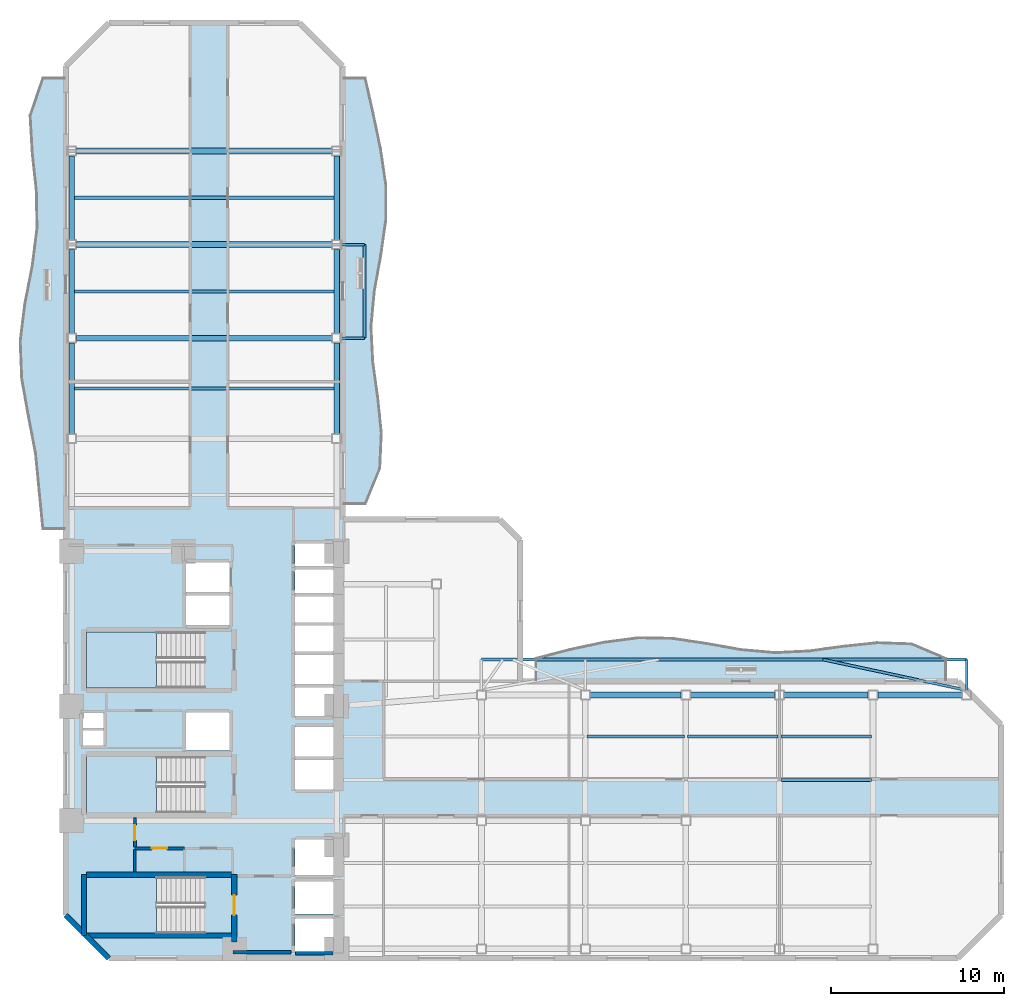
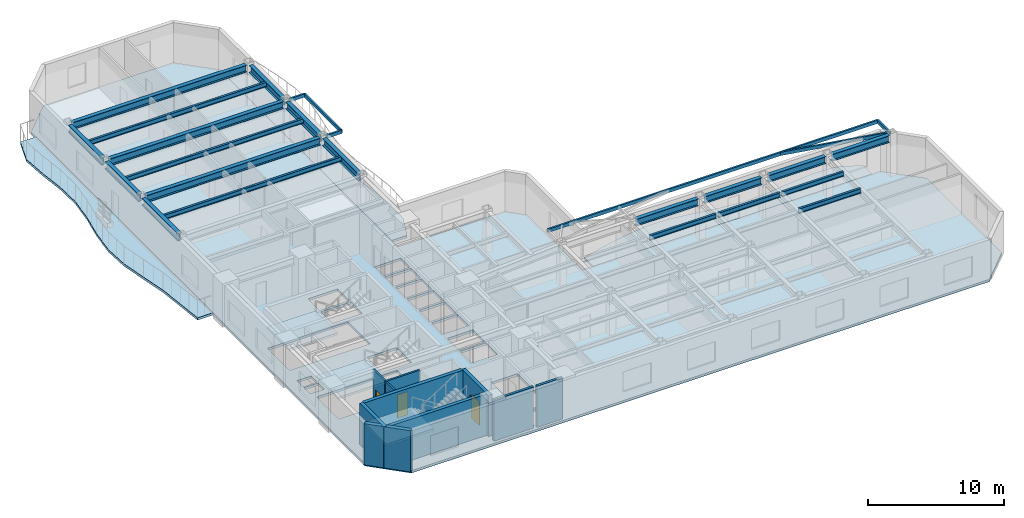
# One storey, part 2 of 10: 26 beams, 10 walls, 7 slabs, 3 doors, 3 openings, 3 elements without a shape of their own.
"""IFC4 building model written with IfcOpenShell, lengths in metres."""

from ifc_helpers import new_model, si_unit, direction, frame, frame_2d, origin, origin_2d, place, context, subcontext, project, spatial, polyline, rectangle, hollow_rectangle, i_section, outline, extrude, material, layer, layer_set, material_profile, profile_set, type_object, element, fill, aggregate, save


model = new_model("IFC4")

# Units and contexts
model_context = context("Model", 3, precision=1e-05, world=origin(), true_north=direction((0.0, 1.0)))
body_context = subcontext(model_context, "Body", "Model", "MODEL_VIEW")
ifc_project = project(units=[si_unit("LENGTHUNIT", "METRE"), si_unit("AREAUNIT", "SQUARE_METRE"), si_unit("VOLUMEUNIT", "CUBIC_METRE"), si_unit("PLANEANGLEUNIT", "RADIAN"), si_unit("MASSUNIT", "GRAM", prefix="KILO")], contexts=[model_context])

# Site, building, storey
site_placement = place(None, origin())
site = spatial("IfcSite", under=ifc_project, at=site_placement, CompositionType="ELEMENT")
building_placement = place(site_placement, origin())
building = spatial("IfcBuilding", under=site, at=building_placement, Name="Mawjaban Terraces University", CompositionType="ELEMENT")
storey_placement = place(building_placement, frame((0.0, 0.0, 81.699951171875)))
storey = spatial("IfcBuildingStorey", under=building, at=storey_placement, Name="L19", CompositionType="ELEMENT", Elevation=81.699951171875)

# Beams
ifc_material_1 = material(Name="Steel EN 10210-1 S355J2H", Category="steel")
ifc_material_profile_1 = material_profile(ifc_material_1, hollow_rectangle(XDim=0.14990234375, YDim=0.300048828125, WallThickness=0.012451171875, at=origin_2d()), Name="RHS300X150X12.5")
ifc_profile_set_1 = profile_set([ifc_material_profile_1], Name="Steel EN 10210-1 S355J2H")
beam_type_1 = type_object("IfcBeamType", Name="BalconyCantileverSpandrel_RHS", PredefinedType="SPANDREL", material=ifc_profile_set_1)
beam_1_placement = place(storey_placement, frame((74.0, 15.47509765625, 3.5400390625), z_axis=(0.0, 1.0, 0.0), x_axis=(-1.0, 0.0, 0.0)))
element("IfcBeam", 1, at=beam_1_placement, inside=storey, type_object=beam_type_1, Name="L19 Exterior Outrigger BAL-L20-N.2", PredefinedType="SPANDREL", context=body_context, shape_type="SweptSolid", body=[
    extrude(hollow_rectangle(XDim=0.14990234375, YDim=0.300048828125, WallThickness=0.012451171875, at=origin_2d()), origin(), (0.0, 0.0, 1.0), 1.77490234375),
])
beam_2_placement = place(storey_placement, frame((46.0, 17.25, 3.5400390625), z_axis=(1.0, 0.0, 0.0), x_axis=(0.0, 1.0, 0.0)))
element("IfcBeam", 2, at=beam_2_placement, inside=storey, type_object=beam_type_1, Name="L19 Exterior Edge Spandrel BAL-L20-N", PredefinedType="SPANDREL", context=body_context, shape_type="SweptSolid", body=[
    extrude(hollow_rectangle(XDim=0.14990234375, YDim=0.300048828125, WallThickness=0.012451171875, at=origin_2d()), origin(), (0.0, 0.0, 1.0), 28.0),
])
beam_3_placement = place(storey_placement, frame((74.0, 15.47509765625, 3.5400390625), z_axis=(-0.977864706332, 0.209238180334, 0.0), x_axis=(-0.209238180334, -0.977864706332, 0.0)))
element("IfcBeam", 3, at=beam_3_placement, inside=storey, type_object=beam_type_1, Name="L19 Exterior Diagonal Strut BAL-L20-N.2", PredefinedType="SPANDREL", context=body_context, shape_type="SweptSolid", body=[
    extrude(hollow_rectangle(XDim=0.14990234375, YDim=0.300048828125, WallThickness=0.012451171875, at=origin_2d()), origin(), (0.0, 0.0, 1.0), 8.482666015625),
])
for number, where, z_axis, x_axis, name in (
    (4, (37.925048828125, 35.800048828125, 3.5400390625), (1.0, 0.0, 0.0), (0.0, 1.0, 0.0), "L19 Exterior Outrigger BAL-L20-E.1"),
    (5, (37.925048828125, 41.199951171875, 3.5400390625), (1.0, 0.0, 0.0), (0.0, 1.0, 0.0), "L19 Exterior Outrigger BAL-L20-E.2"),
):
    element("IfcBeam", number, at=place(storey_placement, frame(where, z_axis=z_axis, x_axis=x_axis)), inside=storey, type_object=beam_type_1, Name=name, PredefinedType="SPANDREL", context=body_context, shape_type="SweptSolid", body=[
        extrude(hollow_rectangle(XDim=0.14990234375, YDim=0.300048828125, WallThickness=0.012451171875, at=origin_2d()), origin(), (0.0, 0.0, 1.0), 1.324951171875),
    ])
beam_4_placement = place(storey_placement, frame((39.25, 35.800048828125, 3.5400390625), z_axis=(0.0, 1.0, 0.0), x_axis=(-1.0, 0.0, 0.0)))
element("IfcBeam", 6, at=beam_4_placement, inside=storey, type_object=beam_type_1, Name="L19 Exterior Edge Spandrel BAL-L20-E", PredefinedType="SPANDREL", context=body_context, shape_type="SweptSolid", body=[
    extrude(hollow_rectangle(XDim=0.14990234375, YDim=0.300048828125, WallThickness=0.012451171875, at=origin_2d()), origin(), (0.0, 0.0, 1.0), 5.39990234375),
])
ifc_material_2 = material(Name="Steel ASTM A572 Grade 50", Category="steel")
ifc_material_profile_2 = material_profile(ifc_material_2, i_section(OverallWidth=0.3291015625, OverallDepth=0.635009765625, WebThickness=0.017822265625, FlangeThickness=0.031005859375, at=origin_2d()), Name="W610X241")
ifc_profile_set_2 = profile_set([ifc_material_profile_2], Name="Steel ASTM A572 Grade 50")
beam_type_2 = type_object("IfcBeamType", Name="Beam_B_W610X241", PredefinedType="BEAM", material=ifc_profile_set_2)
beam_5_placement = place(storey_placement, frame((52.27490234375, 15.199951171875, 3.373046875), z_axis=(1.0, 0.0, 0.0), x_axis=(0.0, 1.0, 0.0)))
element("IfcBeam", 7, at=beam_5_placement, inside=storey, type_object=beam_type_2, Name="L19 Beam BM-L19-EW-10", PredefinedType="BEAM", context=body_context, shape_type="SweptSolid", body=[
    extrude(i_section(OverallWidth=0.3291015625, OverallDepth=0.635009765625, WebThickness=0.017822265625, FlangeThickness=0.031005859375, at=origin_2d()), origin(), (0.0, 0.0, 1.0), 5.25),
])
beam_6_placement = place(storey_placement, frame((58.074951171875, 15.199951171875, 3.373046875), z_axis=(1.0, 0.0, 0.0), x_axis=(0.0, 1.0, 0.0)))
element("IfcBeam", 8, at=beam_6_placement, inside=storey, type_object=beam_type_2, Name="L19 Beam BM-L19-EW-11", PredefinedType="BEAM", context=body_context, shape_type="SweptSolid", body=[
    extrude(i_section(OverallWidth=0.3291015625, OverallDepth=0.635009765625, WebThickness=0.017822265625, FlangeThickness=0.031005859375, at=origin_2d()), origin(), (0.0, 0.0, 1.0), 4.85009765625),
])
beam_7_placement = place(storey_placement, frame((63.47509765625, 15.199951171875, 3.373046875), z_axis=(1.0, 0.0, 0.0), x_axis=(0.0, 1.0, 0.0)))
element("IfcBeam", 9, at=beam_7_placement, inside=storey, type_object=beam_type_2, Name="L19 Beam BM-L19-EW-12", PredefinedType="BEAM", context=body_context, shape_type="SweptSolid", body=[
    extrude(i_section(OverallWidth=0.3291015625, OverallDepth=0.635009765625, WebThickness=0.017822265625, FlangeThickness=0.031005859375, at=origin_2d()), origin(), (0.0, 0.0, 1.0), 4.849853515625),
])
beam_8_placement = place(storey_placement, frame((68.875, 15.199951171875, 3.373046875), z_axis=(1.0, 0.0, 0.0), x_axis=(0.0, 1.0, 0.0)))
element("IfcBeam", 10, at=beam_8_placement, inside=storey, type_object=beam_type_2, Name="L19 Beam BM-L19-EW-13", PredefinedType="BEAM", context=body_context, shape_type="SweptSolid", body=[
    extrude(i_section(OverallWidth=0.3291015625, OverallDepth=0.635009765625, WebThickness=0.017822265625, FlangeThickness=0.031005859375, at=origin_2d()), origin(), (0.0, 0.0, 1.0), 4.85009765625),
])
for number, where, z_axis, x_axis, name in (
    (11, (22.625, 35.800048828125, 3.373046875), (1.0, 0.0, 0.0), (0.0, 1.0, 0.0), "L19 Beam BM-L19-EW-16"),
    (12, (22.625, 41.199951171875, 3.373046875), (1.0, 0.0, 0.0), (0.0, 1.0, 0.0), "L19 Beam BM-L19-EW-17"),
    (13, (22.625, 46.60009765625, 3.373046875), (1.0, 0.0, 0.0), (0.0, 1.0, 0.0), "L19 Beam BM-L19-EW-18"),
):
    element("IfcBeam", number, at=place(storey_placement, frame(where, z_axis=z_axis, x_axis=x_axis)), inside=storey, type_object=beam_type_2, Name=name, PredefinedType="BEAM", context=body_context, shape_type="SweptSolid", body=[
        extrude(i_section(OverallWidth=0.3291015625, OverallDepth=0.635009765625, WebThickness=0.017822265625, FlangeThickness=0.031005859375, at=origin_2d()), origin(), (0.0, 0.0, 1.0), 14.75),
    ])
beam_9_placement = place(storey_placement, frame((22.35009765625, 30.27490234375, 3.373046875), z_axis=(0.0, 1.0, 0.0), x_axis=(-1.0, 0.0, 0.0)))
element("IfcBeam", 14, at=beam_9_placement, inside=storey, type_object=beam_type_2, Name="L19 Beam BM-L19-NS-04", PredefinedType="BEAM", context=body_context, shape_type="SweptSolid", body=[
    extrude(i_section(OverallWidth=0.3291015625, OverallDepth=0.635009765625, WebThickness=0.017822265625, FlangeThickness=0.031005859375, at=origin_2d()), origin(), (0.0, 0.0, 1.0), 5.25),
])
beam_10_placement = place(storey_placement, frame((22.35009765625, 36.074951171875, 3.373046875), z_axis=(0.0, 1.0, 0.0), x_axis=(-1.0, 0.0, 0.0)))
element("IfcBeam", 15, at=beam_10_placement, inside=storey, type_object=beam_type_2, Name="L19 Beam BM-L19-NS-05", PredefinedType="BEAM", context=body_context, shape_type="SweptSolid", body=[
    extrude(i_section(OverallWidth=0.3291015625, OverallDepth=0.635009765625, WebThickness=0.017822265625, FlangeThickness=0.031005859375, at=origin_2d()), origin(), (0.0, 0.0, 1.0), 4.85009765625),
])
beam_11_placement = place(storey_placement, frame((22.35009765625, 41.47509765625, 3.373046875), z_axis=(0.0, 1.0, 0.0), x_axis=(-1.0, 0.0, 0.0)))
element("IfcBeam", 16, at=beam_11_placement, inside=storey, type_object=beam_type_2, Name="L19 Beam BM-L19-NS-06", PredefinedType="BEAM", context=body_context, shape_type="SweptSolid", body=[
    extrude(i_section(OverallWidth=0.3291015625, OverallDepth=0.635009765625, WebThickness=0.017822265625, FlangeThickness=0.031005859375, at=origin_2d()), origin(), (0.0, 0.0, 1.0), 4.849853515625),
])
beam_12_placement = place(storey_placement, frame((37.64990234375, 30.27490234375, 3.373046875), z_axis=(0.0, 1.0, 0.0), x_axis=(-1.0, 0.0, 0.0)))
element("IfcBeam", 17, at=beam_12_placement, inside=storey, type_object=beam_type_2, Name="L19 Beam BM-L19-NS-11", PredefinedType="BEAM", context=body_context, shape_type="SweptSolid", body=[
    extrude(i_section(OverallWidth=0.3291015625, OverallDepth=0.635009765625, WebThickness=0.017822265625, FlangeThickness=0.031005859375, at=origin_2d()), origin(), (0.0, 0.0, 1.0), 5.25),
])
beam_13_placement = place(storey_placement, frame((37.64990234375, 36.074951171875, 3.373046875), z_axis=(0.0, 1.0, 0.0), x_axis=(-1.0, 0.0, 0.0)))
element("IfcBeam", 18, at=beam_13_placement, inside=storey, type_object=beam_type_2, Name="L19 Beam BM-L19-NS-12", PredefinedType="BEAM", context=body_context, shape_type="SweptSolid", body=[
    extrude(i_section(OverallWidth=0.3291015625, OverallDepth=0.635009765625, WebThickness=0.017822265625, FlangeThickness=0.031005859375, at=origin_2d()), origin(), (0.0, 0.0, 1.0), 4.85009765625),
])
beam_14_placement = place(storey_placement, frame((37.64990234375, 41.47509765625, 3.373046875), z_axis=(0.0, 1.0, 0.0), x_axis=(-1.0, 0.0, 0.0)))
element("IfcBeam", 19, at=beam_14_placement, inside=storey, type_object=beam_type_2, Name="L19 Beam BM-L19-NS-13", PredefinedType="BEAM", context=body_context, shape_type="SweptSolid", body=[
    extrude(i_section(OverallWidth=0.3291015625, OverallDepth=0.635009765625, WebThickness=0.017822265625, FlangeThickness=0.031005859375, at=origin_2d()), origin(), (0.0, 0.0, 1.0), 4.849853515625),
])
ifc_material_profile_3 = material_profile(ifc_material_2, i_section(OverallWidth=0.179931640625, OverallDepth=0.4130859375, WebThickness=0.009765625, FlangeThickness=0.01611328125, at=origin_2d()), Name="W410X74")
ifc_profile_set_3 = profile_set([ifc_material_profile_3], Name="Steel ASTM A572 Grade 50")
beam_type_3 = type_object("IfcBeamType", Name="Beam_J_W410X74", PredefinedType="JOIST", material=ifc_profile_set_3)
beam_15_placement = place(storey_placement, frame((63.280029296875, 10.300048828125, 3.483154296875), z_axis=(1.0, 0.0, 0.0), x_axis=(0.0, 1.0, 0.0)))
element("IfcBeam", 20, at=beam_15_placement, inside=storey, type_object=beam_type_3, Name="L19 Composite Joist JST-L19-15", PredefinedType="JOIST", context=body_context, shape_type="SweptSolid", body=[
    extrude(i_section(OverallWidth=0.179931640625, OverallDepth=0.4130859375, WebThickness=0.009765625, FlangeThickness=0.01611328125, at=origin_2d()), origin(), (0.0, 0.0, 1.0), 5.239990234375),
])
beam_16_placement = place(storey_placement, frame((52.080078125, 12.800048828125, 3.483154296875), z_axis=(1.0, 0.0, 0.0), x_axis=(0.0, 1.0, 0.0)))
element("IfcBeam", 21, at=beam_16_placement, inside=storey, type_object=beam_type_3, Name="L19 Composite Joist JST-L19-18", PredefinedType="JOIST", context=body_context, shape_type="SweptSolid", body=[
    extrude(i_section(OverallWidth=0.179931640625, OverallDepth=0.4130859375, WebThickness=0.009765625, FlangeThickness=0.01611328125, at=origin_2d()), origin(), (0.0, 0.0, 1.0), 5.639892578125),
])
beam_17_placement = place(storey_placement, frame((57.8798828125, 12.800048828125, 3.483154296875), z_axis=(1.0, 0.0, 0.0), x_axis=(0.0, 1.0, 0.0)))
element("IfcBeam", 22, at=beam_17_placement, inside=storey, type_object=beam_type_3, Name="L19 Composite Joist JST-L19-19", PredefinedType="JOIST", context=body_context, shape_type="SweptSolid", body=[
    extrude(i_section(OverallWidth=0.179931640625, OverallDepth=0.4130859375, WebThickness=0.009765625, FlangeThickness=0.01611328125, at=origin_2d()), origin(), (0.0, 0.0, 1.0), 5.240234375),
])
beam_18_placement = place(storey_placement, frame((63.280029296875, 12.800048828125, 3.483154296875), z_axis=(1.0, 0.0, 0.0), x_axis=(0.0, 1.0, 0.0)))
element("IfcBeam", 23, at=beam_18_placement, inside=storey, type_object=beam_type_3, Name="L19 Composite Joist JST-L19-20", PredefinedType="JOIST", context=body_context, shape_type="SweptSolid", body=[
    extrude(i_section(OverallWidth=0.179931640625, OverallDepth=0.4130859375, WebThickness=0.009765625, FlangeThickness=0.01611328125, at=origin_2d()), origin(), (0.0, 0.0, 1.0), 5.239990234375),
])
for number, where, z_axis, x_axis, name in (
    (24, (22.429931640625, 32.89990234375, 3.483154296875), (1.0, 0.0, 0.0), (0.0, 1.0, 0.0), "L19 Composite Joist JST-L19-23"),
    (25, (22.429931640625, 38.5, 3.483154296875), (1.0, 0.0, 0.0), (0.0, 1.0, 0.0), "L19 Composite Joist JST-L19-24"),
    (26, (22.429931640625, 43.89990234375, 3.483154296875), (1.0, 0.0, 0.0), (0.0, 1.0, 0.0), "L19 Composite Joist JST-L19-25"),
):
    element("IfcBeam", number, at=place(storey_placement, frame(where, z_axis=z_axis, x_axis=x_axis)), inside=storey, type_object=beam_type_3, Name=name, PredefinedType="JOIST", context=body_context, shape_type="SweptSolid", body=[
        extrude(i_section(OverallWidth=0.179931640625, OverallDepth=0.4130859375, WebThickness=0.009765625, FlangeThickness=0.01611328125, at=origin_2d()), origin(), (0.0, 0.0, 1.0), 15.14013671875),
    ])

# Slabs
ifc_material_3 = material(Name="Concrete C40/50", Category="concrete")
ifc_layer_1 = layer(ifc_material_3, 0.2099609375)
ifc_layer_set_1 = layer_set([ifc_layer_1], Name="Concrete C40/50")
slab_type_1 = type_object("IfcSlabType", Name="BalconySlab_210_Ext", PredefinedType="FLOOR", material=ifc_layer_set_1)
slab_1_placement = place(storey_placement, frame((0.0, 0.0, -0.2099609375)))
element("IfcSlab", 27, at=slab_1_placement, inside=storey, type_object=slab_type_1, Name="L19 Planted Balcony Slab west", PredefinedType="FLOOR", context=body_context, shape_type="SweptSolid", body=[
    extrude(outline(polyline([(22.010009765625, 24.800048828125), (22.010009765625, 50.800048828125), (20.699951171875, 50.800048828125), (19.966064453125, 48.633056640625), (20.090087890625, 46.467041015625), (20.324951171875, 44.300048828125), (20.363037109375, 42.133056640625), (20.087890625, 39.967041015625), (19.6630859375, 37.800048828125), (19.39306640625, 35.633056640625), (19.48095703125, 33.467041015625), (19.864990234375, 31.300048828125), (20.280029296875, 29.133056640625), (20.489013671875, 26.967041015625), (20.699951171875, 24.800048828125), (22.010009765625, 24.800048828125)])), origin(), (0.0, 0.0, 1.0), 0.2099609375),
])
slab_2_placement = place(storey_placement, frame((0.0, 0.0, -0.2099609375)))
element("IfcSlab", 28, at=slab_2_placement, inside=storey, type_object=slab_type_1, Name="L19 Planted Balcony Slab inner_north", PredefinedType="FLOOR", context=body_context, shape_type="SweptSolid", body=[
    extrude(outline(polyline([(49.14990234375, 15.989990234375), (72.800048828125, 15.989990234375), (72.800048828125, 17.300048828125), (70.8291015625, 18.138916015625), (68.85791015625, 18.208984375), (66.886962890625, 18.0009765625), (64.9169921875, 17.73193359375), (62.946044921875, 17.635009765625), (60.97509765625, 17.81103515625), (59.00390625, 18.162109375), (57.032958984375, 18.4580078125), (55.06201171875, 18.49609375), (53.092041015625, 18.236083984375), (51.12109375, 17.822021484375), (49.14990234375, 17.300048828125), (49.14990234375, 15.989990234375)])), origin(), (0.0, 0.0, 1.0), 0.2099609375),
])
slab_3_placement = place(storey_placement, frame((0.0, 0.0, -0.2099609375)))
element("IfcSlab", 29, at=slab_3_placement, inside=storey, type_object=slab_type_1, Name="L19 Planted Balcony Slab inner_east", PredefinedType="FLOOR", context=body_context, shape_type="SweptSolid", body=[
    extrude(outline(polyline([(39.300048828125, 26.237060546875), (40.14111328125, 28.283935546875), (40.23193359375, 30.3310546875), (40.02294921875, 32.3779296875), (39.738037109375, 34.425048828125), (39.635986328125, 36.471923828125), (39.826904296875, 38.51806640625), (40.197998046875, 40.56494140625), (40.489013671875, 42.612060546875), (40.489990234375, 44.658935546875), (40.18701171875, 46.7060546875), (39.761962890625, 48.7529296875), (39.300048828125, 50.800048828125), (37.989990234375, 50.800048828125), (37.989990234375, 26.237060546875), (39.300048828125, 26.237060546875)])), origin(), (0.0, 0.0, 1.0), 0.2099609375),
])
ifc_layer_2 = layer(ifc_material_3, 0.2099609375)
ifc_layer_set_2 = layer_set([ifc_layer_2], Name="Concrete C40/50")
slab_type_2 = type_object("IfcSlabType", Name="CompositeSlab_210", PredefinedType="FLOOR", material=ifc_layer_set_2)
slab_4_placement = place(storey_placement, frame((0.0, 0.0, -0.2099609375)))
element("IfcSlab", 30, at=slab_4_placement, inside=storey, type_object=slab_type_2, Name="L19 Primary Structural Slab", PredefinedType="FLOOR", context=body_context, shape_type="SweptSolid", body=[
    extrude(outline(polyline([(24.5, 0.0), (73.5, 0.0), (76.0, 2.5), (76.0, 13.5), (73.5, 16.0), (48.25, 16.0), (48.25, 24.136962890625), (47.050048828125, 25.3369140625), (38.0, 25.3369140625), (38.0, 51.5), (35.5, 54.0), (24.5, 54.0), (22.0, 51.5), (22.0, 2.5), (24.5, 0.0)]), holes=[polyline([(30.014892578125, 4.699951171875), (23.199951171875, 4.699951171875), (23.199951171875, 1.449951171875), (30.014892578125, 1.449951171875), (30.014892578125, 4.699951171875)]), polyline([(30.014892578125, 18.85009765625), (23.199951171875, 18.85009765625), (23.199951171875, 15.60009765625), (30.014892578125, 15.60009765625), (30.014892578125, 18.85009765625)]), polyline([(30.014892578125, 11.64990234375), (23.199951171875, 11.64990234375), (23.199951171875, 8.39990234375), (30.014892578125, 8.39990234375), (30.014892578125, 11.64990234375)]), polyline([(35.25, 0.39990234375), (37.449951171875, 0.39990234375), (37.449951171875, 2.300048828125), (35.25, 2.300048828125), (35.25, 0.39990234375)]), polyline([(35.25, 2.550048828125), (37.449951171875, 2.550048828125), (37.449951171875, 4.449951171875), (35.25, 4.449951171875), (35.25, 2.550048828125)]), polyline([(35.25, 4.800048828125), (37.449951171875, 4.800048828125), (37.449951171875, 6.85009765625), (35.25, 6.85009765625), (35.25, 4.800048828125)]), polyline([(35.25, 9.75), (37.449951171875, 9.75), (37.449951171875, 11.449951171875), (35.25, 11.449951171875), (35.25, 9.75)]), polyline([(35.25, 11.64990234375), (37.449951171875, 11.64990234375), (37.449951171875, 13.35009765625), (35.25, 13.35009765625), (35.25, 11.64990234375)]), polyline([(28.949951171875, 12.0), (31.449951171875, 12.0), (31.449951171875, 14.199951171875), (28.949951171875, 14.199951171875), (28.949951171875, 12.0)]), polyline([(35.25, 14.0), (37.449951171875, 14.0), (37.449951171875, 15.64990234375), (35.25, 15.64990234375), (35.25, 14.0)]), polyline([(35.25, 15.85009765625), (37.449951171875, 15.85009765625), (37.449951171875, 17.5), (35.25, 17.5), (35.25, 15.85009765625)]), polyline([(35.25, 17.699951171875), (37.449951171875, 17.699951171875), (37.449951171875, 19.199951171875), (35.25, 19.199951171875), (35.25, 17.699951171875)]), polyline([(35.25, 19.39990234375), (37.449951171875, 19.39990234375), (37.449951171875, 20.89990234375), (35.25, 20.89990234375), (35.25, 19.39990234375)]), polyline([(28.949951171875, 19.25), (31.449951171875, 19.25), (31.449951171875, 20.949951171875), (28.949951171875, 20.949951171875), (28.949951171875, 19.25)]), polyline([(35.25, 21.10009765625), (37.449951171875, 21.10009765625), (37.449951171875, 22.449951171875), (35.25, 22.449951171875), (35.25, 21.10009765625)]), polyline([(35.25, 22.64990234375), (37.449951171875, 22.64990234375), (37.449951171875, 23.949951171875), (35.25, 23.949951171875), (35.25, 22.64990234375)]), polyline([(28.949951171875, 21.14990234375), (31.449951171875, 21.14990234375), (31.449951171875, 22.85009765625), (28.949951171875, 22.85009765625), (28.949951171875, 21.14990234375)]), polyline([(23.0, 12.25), (24.199951171875, 12.25), (24.199951171875, 13.14990234375), (23.0, 13.14990234375), (23.0, 12.25)]), polyline([(23.0, 13.300048828125), (24.199951171875, 13.300048828125), (24.199951171875, 14.179931640625), (23.0, 14.179931640625), (23.0, 13.300048828125)])]), origin(), (0.0, 0.0, 1.0), 0.2099609375),
])

# Stair, slab
stair_type = type_object("IfcStairType", Name="Stair_Core1550_H39", PredefinedType="HALF_TURN_STAIR", material=ifc_material_3)
stair_1_placement = place(storey_placement, origin())
stair_1 = element("IfcStair", 31, at=stair_1_placement, inside=storey, type_object=stair_type, Name="L19 Core Exit Stair 1", PredefinedType="HALF_TURN_STAIR")
ifc_layer_3 = layer(ifc_material_3, 0.199951171875)
ifc_layer_set_3 = layer_set([ifc_layer_3], Name="Concrete C40/50")
slab_type_3 = type_object("IfcSlabType", Name="StairLandingSlab_200", PredefinedType="LANDING", material=ifc_layer_set_3)
slab_5_placement = place(storey_placement, frame((0.0, 0.0, 1.75)))
slab_5 = element("IfcSlab", 32, at=slab_5_placement, type_object=slab_type_3, Name="ST-1 landing 1", PredefinedType="LANDING", context=body_context, shape_type="SweptSolid", body=[
    extrude(outline(polyline([(27.25, 4.699951171875), (23.199951171875, 4.699951171875), (23.199951171875, 1.449951171875), (27.25, 1.449951171875), (27.25, 4.699951171875)])), origin(), (0.0, 0.0, 1.0), 0.199951171875),
])
aggregate(stair_1, [slab_5])

stair_2_placement = place(storey_placement, origin())
stair_2 = element("IfcStair", 33, at=stair_2_placement, inside=storey, type_object=stair_type, Name="L19 Core Exit Stair 2", PredefinedType="HALF_TURN_STAIR")
slab_6_placement = place(storey_placement, frame((0.0, 0.0, 1.75)))
slab_6 = element("IfcSlab", 34, at=slab_6_placement, type_object=slab_type_3, Name="ST-2 landing 1", PredefinedType="LANDING", context=body_context, shape_type="SweptSolid", body=[
    extrude(outline(polyline([(27.25, 18.85009765625), (23.199951171875, 18.85009765625), (23.199951171875, 15.60009765625), (27.25, 15.60009765625), (27.25, 18.85009765625)])), origin(), (0.0, 0.0, 1.0), 0.199951171875),
])
aggregate(stair_2, [slab_6])

stair_3_placement = place(storey_placement, origin())
stair_3 = element("IfcStair", 35, at=stair_3_placement, inside=storey, type_object=stair_type, Name="L19 Core Exit Stair 3", PredefinedType="HALF_TURN_STAIR")
slab_7_placement = place(storey_placement, frame((0.0, 0.0, 1.75)))
slab_7 = element("IfcSlab", 36, at=slab_7_placement, type_object=slab_type_3, Name="ST-3 landing 1", PredefinedType="LANDING", context=body_context, shape_type="SweptSolid", body=[
    extrude(outline(polyline([(27.25, 11.64990234375), (23.199951171875, 11.64990234375), (23.199951171875, 8.39990234375), (27.25, 8.39990234375), (27.25, 11.64990234375)])), origin(), (0.0, 0.0, 1.0), 0.199951171875),
])
aggregate(stair_3, [slab_7])

# Wall, opening, door
ifc_material_4 = material(Name="Fire-rated gypsum board on steel stud", Category="steel")
ifc_layer_4 = layer(ifc_material_4, 0.159912109375)
ifc_layer_set_4 = layer_set([ifc_layer_4], Name="Fire-rated gypsum board on steel stud")
wall_type_1 = type_object("IfcWallType", Name="CorridorPartition_160", PredefinedType="PARTITIONING", material=ifc_layer_set_4)
wall_1_placement = place(storey_placement, frame((26.0, 6.35009765625, 0.0), z_axis=(0.0, 0.0, 1.0), x_axis=(1.0, 0.0, 0.0)))
wall_1 = element("IfcWall", 37, at=wall_1_placement, inside=storey, type_object=wall_type_1, Name="L19 Core Washroom Lobby Partition 3", PredefinedType="PARTITIONING", context=body_context, shape_type="SweptSolid", body=[
    extrude(rectangle(XDim=2.85009765625, YDim=0.159912109375, at=frame_2d((1.425048828125, 0.0))), origin(), (0.0, 0.0, 1.0), 3.68994140625),
])
opening_1_placement = place(wall_1_placement, frame((0.985107421875, 0.0, 0.0)))
opening_1 = element("IfcOpeningElement", 38, at=opening_1_placement, cuts=wall_1, Name="Opening ID-088", PredefinedType="OPENING", context=body_context, shape_type="SweptSolid", body=[
    extrude(rectangle(XDim=0.8798828125, YDim=2.10009765625, at=frame_2d((0.43994140625, 1.050048828125))), frame((0.0, 0.08984375, 0.0), z_axis=(0.0, -1.0, 0.0), x_axis=(1.0, 0.0, 0.0)), (0.0, 0.0, 1.0), 0.179931640625),
])
ifc_material_5 = material(Name="Powder-coated steel frame and solid acoustic timber leaf", Category="steel")
door_type_1 = type_object("IfcDoorType", Name="ToiletDoor_880x2100", OperationType="NOTDEFINED", PredefinedType="DOOR", material=ifc_material_5)
door_1_placement = place(opening_1_placement, origin())
door_1 = element("IfcDoor", 39, at=door_1_placement, inside=storey, type_object=door_type_1, Name="L19 Male Toilet Door", OperationType="SINGLE_SWING_LEFT", OverallHeight=2.10009765625, OverallWidth=0.8798828125, PredefinedType="DOOR", context=body_context, shape_type="SweptSolid", body=[
    extrude(rectangle(XDim=0.8798828125, YDim=2.10009765625, at=frame_2d((0.43994140625, 1.050048828125))), frame((0.0, 0.02490234375, 0.0), z_axis=(0.0, -1.0, 0.0), x_axis=(1.0, 0.0, 0.0)), (0.0, 0.0, 1.0), 0.050048828125),
])
fill(opening_1, door_1)

wall_2_placement = place(storey_placement, frame((26.0, 8.090087890625, 0.0), z_axis=(0.0, 0.0, 1.0), x_axis=(0.0, -1.0, 0.0)))
wall_2 = element("IfcWall", 40, at=wall_2_placement, inside=storey, type_object=wall_type_1, Name="L19 Core Washroom Lobby Partition 29", PredefinedType="PARTITIONING", context=body_context, shape_type="SweptSolid", body=[
    extrude(rectangle(XDim=1.6650390625, YDim=0.159912109375, at=frame_2d((0.83251953125, 0.0))), origin(), (0.0, 0.0, 1.0), 3.68994140625),
])
opening_2_placement = place(wall_2_placement, frame((0.39306640625, 0.0, 0.0)))
opening_2 = element("IfcOpeningElement", 41, at=opening_2_placement, cuts=wall_2, Name="Opening ID-088", PredefinedType="OPENING", context=body_context, shape_type="SweptSolid", body=[
    extrude(rectangle(XDim=0.8798828125, YDim=2.10009765625, at=frame_2d((0.43994140625, 1.050048828125))), frame((0.0, 0.08984375, 0.0), z_axis=(0.0, -1.0, 0.0), x_axis=(1.0, 0.0, 0.0)), (0.0, 0.0, 1.0), 0.179931640625),
])
door_2_placement = place(opening_2_placement, origin())
door_2 = element("IfcDoor", 42, at=door_2_placement, inside=storey, type_object=door_type_1, Name="L19 Ablution Room Door", OperationType="SINGLE_SWING_RIGHT", OverallHeight=2.10009765625, OverallWidth=0.8798828125, PredefinedType="DOOR", context=body_context, shape_type="SweptSolid", body=[
    extrude(rectangle(XDim=0.8798828125, YDim=2.10009765625, at=frame_2d((0.43994140625, 1.050048828125))), frame((0.0, 0.02490234375, 0.0), z_axis=(0.0, -1.0, 0.0), x_axis=(1.0, 0.0, 0.0)), (0.0, 0.0, 1.0), 0.050048828125),
])
fill(opening_2, door_2)

# Walls
ifc_material_6 = material(Name="Insulated terracotta rainscreen on concrete backup C40/50", Category="masonry")
ifc_layer_5 = layer(ifc_material_6, 0.320068359375)
ifc_layer_set_5 = layer_set([ifc_layer_5], Name="Insulated terracotta rainscreen on concrete backup C40/50")
wall_type_2 = type_object("IfcWallType", Name="ExtTerracottaWall_320", PredefinedType="SOLIDWALL", material=ifc_layer_set_5)
wall_3_placement = place(storey_placement, frame((22.0, 2.5, 0.0), z_axis=(0.0, 0.0, 1.0), x_axis=(0.707106781187, -0.707106781187, 0.0)))
element("IfcWall", 43, at=wall_3_placement, inside=storey, type_object=wall_type_2, Name="L19 Exterior Terracotta Wall 14", PredefinedType="SOLIDWALL", context=body_context, shape_type="SweptSolid", body=[
    extrude(rectangle(XDim=3.53564453125, YDim=0.320068359375, at=frame_2d((1.767822265625, 0.0))), origin(), (0.0, 0.0, 1.0), 3.68994140625),
])
ifc_layer_6 = layer(ifc_material_3, 0.199951171875)
ifc_layer_set_6 = layer_set([ifc_layer_6], Name="Concrete C40/50")
wall_type_3 = type_object("IfcWallType", Name="FireLobbyWall_200", PredefinedType="SOLIDWALL", material=ifc_layer_set_6)
wall_4_placement = place(storey_placement, frame((35.280029296875, 0.300048828125, 0.0), z_axis=(0.0, 0.0, 1.0), x_axis=(1.0, 0.0, 0.0)))
element("IfcWall", 44, at=wall_4_placement, inside=storey, type_object=wall_type_3, Name="L19 Lift FL-1 Hoistway Wall South", PredefinedType="SOLIDWALL", context=body_context, shape_type="SweptSolid", body=[
    extrude(rectangle(XDim=2.139892578125, YDim=0.199951171875, at=frame_2d((1.06982421875, 0.0))), origin(), (0.0, 0.0, 1.0), 3.68994140625),
])
wall_5_placement = place(storey_placement, frame((31.64990234375, 0.35009765625, 0.0), z_axis=(0.0, 0.0, 1.0), x_axis=(1.0, 0.0, 0.0)))
element("IfcWall", 45, at=wall_5_placement, inside=storey, type_object=wall_type_3, Name="L19 Firefighting Lift Lobby Partition 11", PredefinedType="SOLIDWALL", context=body_context, shape_type="SweptSolid", body=[
    extrude(rectangle(XDim=3.3701171875, YDim=0.199951171875, at=frame_2d((1.68505859375, 0.0))), origin(), (0.0, 0.0, 1.0), 3.68994140625),
])
ifc_material_7 = material(Name="Concrete C60/75", Category="concrete")
ifc_layer_7 = layer(ifc_material_7, 0.300048828125)
ifc_layer_set_7 = layer_set([ifc_layer_7], Name="Concrete C60/75")
wall_type_4 = type_object("IfcWallType", Name="StairShaftWall_300", PredefinedType="SHEAR", material=ifc_layer_set_7)
wall_6_placement = place(storey_placement, frame((31.580078125, 4.830078125, 0.0), z_axis=(0.0, 0.0, 1.0), x_axis=(-1.0, 0.0, 0.0)))
element("IfcWall", 46, at=wall_6_placement, inside=storey, type_object=wall_type_4, Name="L19 ST-1 Stair Shaft Wall 1", PredefinedType="SHEAR", context=body_context, shape_type="SweptSolid", body=[
    extrude(rectangle(XDim=8.360107421875, YDim=0.300048828125, at=frame_2d((4.18017578125, 0.0))), origin(), (0.0, 0.0, 1.0), 3.68994140625),
])
wall_7_placement = place(storey_placement, frame((23.070068359375, 4.830078125, 0.0), z_axis=(0.0, 0.0, 1.0), x_axis=(0.0, -1.0, 0.0)))
element("IfcWall", 47, at=wall_7_placement, inside=storey, type_object=wall_type_4, Name="L19 ST-1 Stair Shaft Wall 2", PredefinedType="SHEAR", context=body_context, shape_type="SweptSolid", body=[
    extrude(rectangle(XDim=3.510009765625, YDim=0.300048828125, at=frame_2d((1.7548828125, 0.0))), origin(), (0.0, 0.0, 1.0), 3.68994140625),
])
wall_8_placement = place(storey_placement, frame((23.219970703125, 1.320068359375, 0.0), z_axis=(0.0, 0.0, 1.0), x_axis=(1.0, 0.0, 0.0)))
element("IfcWall", 48, at=wall_8_placement, inside=storey, type_object=wall_type_4, Name="L19 ST-1 Stair Shaft Wall 3", PredefinedType="SHEAR", context=body_context, shape_type="SweptSolid", body=[
    extrude(rectangle(XDim=8.360107421875, YDim=0.300048828125, at=frame_2d((4.18017578125, 0.0))), origin(), (0.0, 0.0, 1.0), 3.68994140625),
])

# Wall, opening, door
wall_9_placement = place(storey_placement, frame((31.72998046875, 0.9599609375, 0.0), z_axis=(0.0, 0.0, 1.0), x_axis=(0.0, 1.0, 0.0)))
wall_9 = element("IfcWall", 49, at=wall_9_placement, inside=storey, type_object=wall_type_4, Name="L19 ST-1 Stair Shaft Wall 4", PredefinedType="SHEAR", context=body_context, shape_type="SweptSolid", body=[
    extrude(rectangle(XDim=3.8701171875, YDim=0.300048828125, at=frame_2d((1.93505859375, 0.0))), origin(), (0.0, 0.0, 1.0), 3.68994140625),
])
opening_3_placement = place(wall_9_placement, frame((1.5400390625, 0.0, 0.0)))
opening_3 = element("IfcOpeningElement", 50, at=opening_3_placement, cuts=wall_9, Name="Opening FD-115", PredefinedType="OPENING", context=body_context, shape_type="SweptSolid", body=[
    extrude(rectangle(XDim=1.14990234375, YDim=2.14990234375, at=frame_2d((0.574951171875, 1.074951171875))), frame((0.0, 0.159912109375, 0.0), z_axis=(0.0, -1.0, 0.0), x_axis=(1.0, 0.0, 0.0)), (0.0, 0.0, 1.0), 0.320068359375),
])
ifc_material_8 = material(Name="Powder-coated steel frame and fire-rated steel-faced leaf", Category="steel")
door_type_2 = type_object("IfcDoorType", Name="FireStairDoor_1150x2150", OperationType="NOTDEFINED", PredefinedType="DOOR", material=ifc_material_8)
door_3_placement = place(opening_3_placement, origin())
door_3 = element("IfcDoor", 51, at=door_3_placement, inside=storey, type_object=door_type_2, Name="L19 ST-1 Pressurised Stair Fire Door", OperationType="SINGLE_SWING_RIGHT", OverallHeight=2.14990234375, OverallWidth=1.14990234375, PredefinedType="DOOR", context=body_context, shape_type="SweptSolid", body=[
    extrude(rectangle(XDim=1.14990234375, YDim=2.14990234375, at=frame_2d((0.574951171875, 1.074951171875))), frame((0.0, 0.02490234375, 0.0), z_axis=(0.0, -1.0, 0.0), x_axis=(1.0, 0.0, 0.0)), (0.0, 0.0, 1.0), 0.050048828125),
])
fill(opening_3, door_3)

# Wall
ifc_material_9 = material(Name="Cement-board wet-room partition", Category="masonry")
ifc_layer_8 = layer(ifc_material_9, 0.135009765625)
ifc_layer_set_8 = layer_set([ifc_layer_8], Name="Cement-board wet-room partition")
wall_type_5 = type_object("IfcWallType", Name="WetRoomPartition_135", PredefinedType="PARTITIONING", material=ifc_layer_set_8)
wall_10_placement = place(storey_placement, frame((26.0, 5.010009765625, 0.0), z_axis=(0.0, 0.0, 1.0), x_axis=(0.0, 1.0, 0.0)))
element("IfcWall", 52, at=wall_10_placement, inside=storey, type_object=wall_type_5, Name="L19 Ablution Room Partition 28", PredefinedType="PARTITIONING", context=body_context, shape_type="SweptSolid", body=[
    extrude(rectangle(XDim=1.264892578125, YDim=0.135009765625, at=frame_2d((0.63232421875, 0.0))), origin(), (0.0, 0.0, 1.0), 3.68994140625),
])

save(model, "model.ifc")
